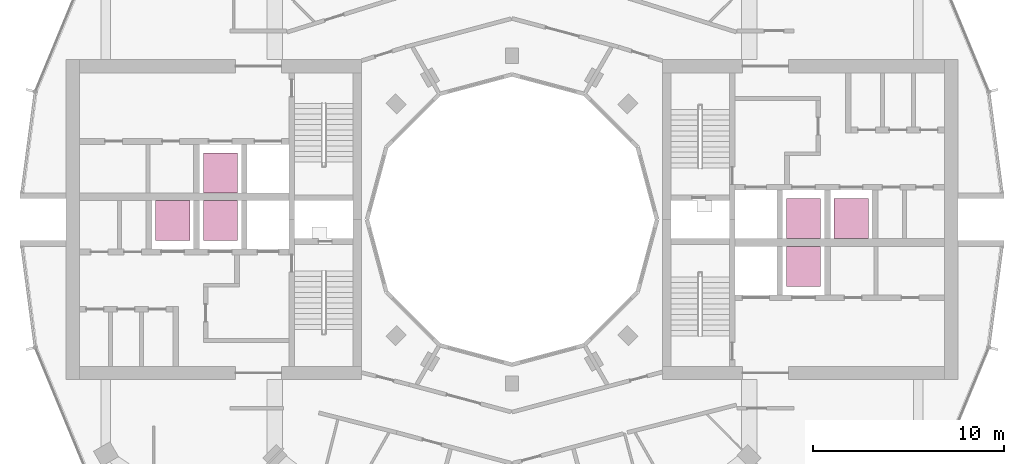
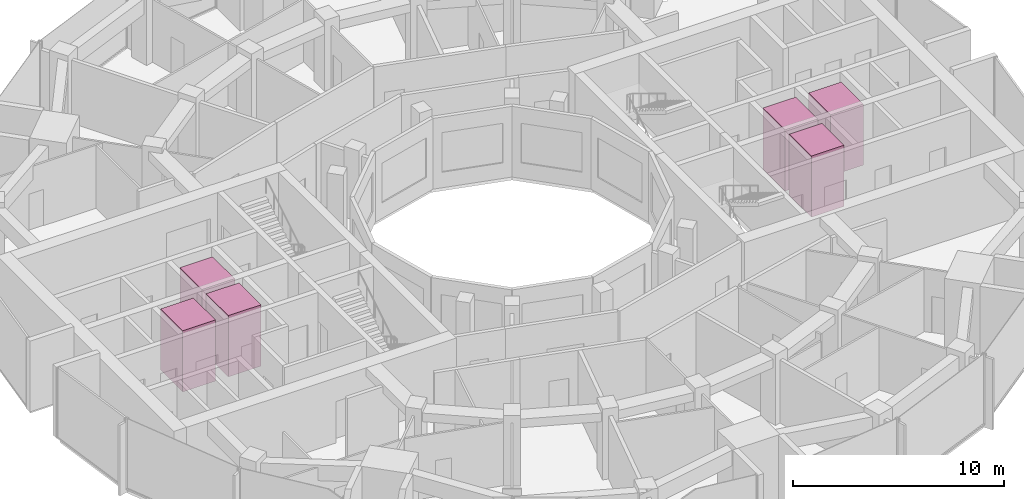
# One storey, part 15 of 15: 6 transport elements.
"""IFC4 building model written with IfcOpenShell, lengths in metres."""

from ifc_helpers import new_model, si_unit, direction, frame, origin, origin_2d, place, context, subcontext, project, spatial, rectangle, extrude, material, type_object, element, save


model = new_model("IFC4")

# Units and contexts
model_context = context("Model", 3, precision=1e-05, world=origin(), true_north=direction((0.0, 1.0)))
body_context = subcontext(model_context, "Body", "Model", "MODEL_VIEW")
ifc_project = project(units=[si_unit("LENGTHUNIT", "METRE"), si_unit("AREAUNIT", "SQUARE_METRE"), si_unit("VOLUMEUNIT", "CUBIC_METRE"), si_unit("PLANEANGLEUNIT", "RADIAN"), si_unit("MASSUNIT", "GRAM", prefix="KILO")], contexts=[model_context])

# Site, building, storey
site_placement = place(None, origin())
site = spatial("IfcSite", under=ifc_project, at=site_placement, CompositionType="ELEMENT")
building_placement = place(site_placement, origin())
building = spatial("IfcBuilding", under=site, at=building_placement, Name="Torre Brocal", CompositionType="ELEMENT")
storey_placement = place(building_placement, frame((0.0, 0.0, 178.199951171875)))
storey = spatial("IfcBuildingStorey", under=building, at=storey_placement, Name="L41", CompositionType="ELEMENT", Elevation=178.199951171875)

# Transport elements
ifc_material = material(Name="Stainless steel AISI 316", Category="steel")
transport_element_type = type_object("IfcTransportElementType", Name="PASSENGER LIFT", PredefinedType="ELEVATOR", material=ifc_material)
for number, where, z_axis, x_axis, name in (
    (1, (95.300048828125, 75.050048828125, 0.0), (0.0, 0.0, 1.0), (1.0, 0.0, 0.0), "HIGH RISE LIFT E-HR1"),
    (2, (95.300048828125, 72.550048828125, 0.0), (0.0, 0.0, 1.0), (1.0, 0.0, 0.0), "HIGH RISE LIFT E-HR2"),
    (3, (97.800048828125, 75.050048828125, 0.0), (0.0, 0.0, 1.0), (1.0, 0.0, 0.0), "HIGH RISE LIFT E-HR3"),
    (4, (64.699951171875, 74.949951171875, 0.0), (0.0, 0.0, 1.0), (1.0, 0.0, 0.0), "HIGH RISE LIFT W-HR1"),
    (5, (64.699951171875, 77.449951171875, 0.0), (0.0, 0.0, 1.0), (1.0, 0.0, 0.0), "HIGH RISE LIFT W-HR2"),
    (6, (62.199951171875, 74.949951171875, 0.0), (0.0, 0.0, 1.0), (1.0, 0.0, 0.0), "HIGH RISE LIFT W-HR3"),
):
    element("IfcTransportElement", number, at=place(storey_placement, frame(where, z_axis=z_axis, x_axis=x_axis)), inside=storey, type_object=transport_element_type, Name=name, PredefinedType="ELEVATOR", context=body_context, shape_type="SweptSolid", body=[
        extrude(rectangle(XDim=1.800048828125, YDim=2.10009765625, at=origin_2d()), origin(), (0.0, 0.0, 1.0), 3.550048828125),
    ])

save(model, "model.ifc")
